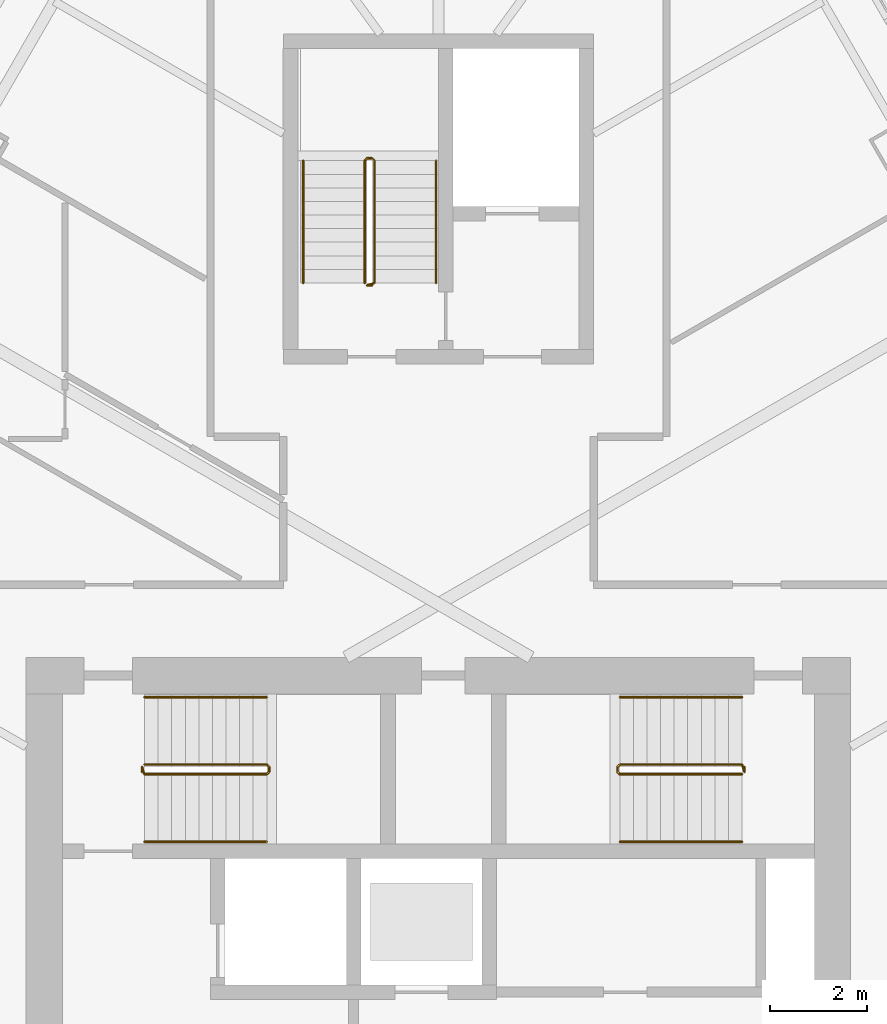
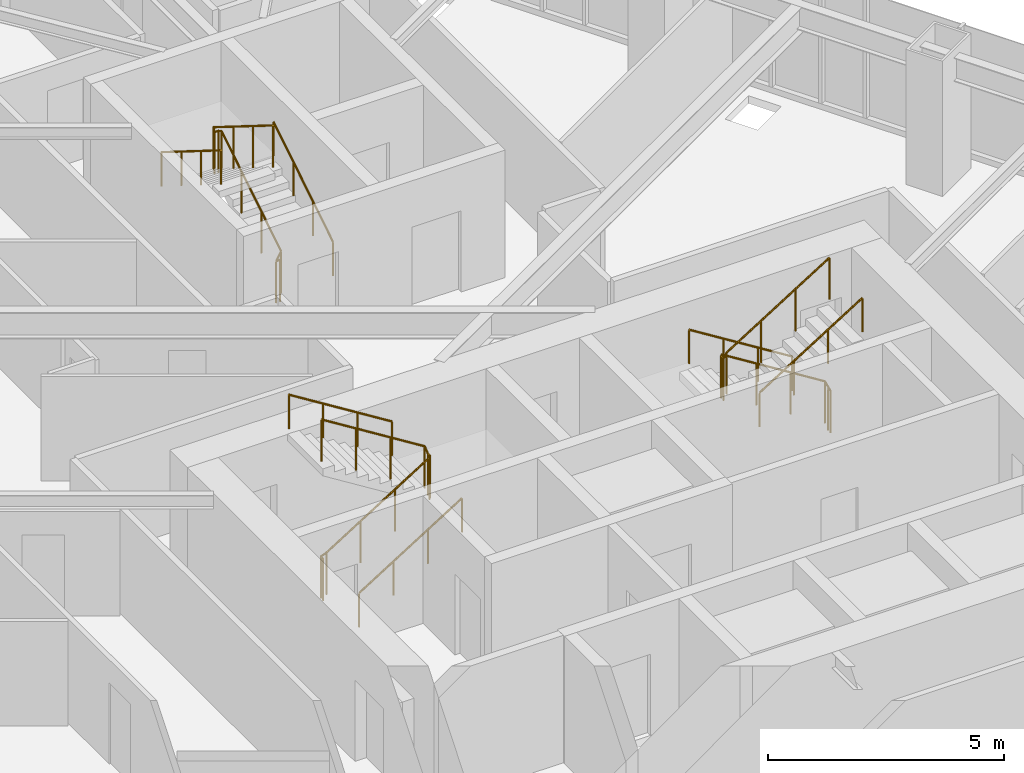
# One storey, part 18 of 19: 9 railings.
"""IFC4 building model written with IfcOpenShell, lengths in metres."""

from ifc_helpers import new_model, si_unit, direction, frame, origin, origin_2d, place, context, subcontext, project, spatial, circle, extrude, material, type_object, element, save


model = new_model("IFC4")

# Units and contexts
model_context = context("Model", 3, precision=1e-05, world=origin(), true_north=direction((0.0, 1.0)))
body_context = subcontext(model_context, "Body", "Model", "MODEL_VIEW")
ifc_project = project(units=[si_unit("LENGTHUNIT", "METRE"), si_unit("AREAUNIT", "SQUARE_METRE"), si_unit("VOLUMEUNIT", "CUBIC_METRE"), si_unit("PLANEANGLEUNIT", "RADIAN"), si_unit("MASSUNIT", "GRAM", prefix="KILO")], contexts=[model_context])

# Site, building, storey
site_placement = place(None, origin())
site = spatial("IfcSite", under=ifc_project, at=site_placement, CompositionType="ELEMENT")
building_placement = place(site_placement, origin())
building = spatial("IfcBuilding", under=site, at=building_placement, Name="Firuza Gate Tower and Library", CompositionType="ELEMENT")
storey_placement = place(building_placement, frame((0.0, 0.0, 256.60009765625)))
storey = spatial("IfcBuildingStorey", under=building, at=storey_placement, Name="L60", CompositionType="ELEMENT", Elevation=256.60009765625)

# Railings
ifc_material_1 = material(Name="Steel S355", Category="steel")
railing_type_1 = type_object("IfcRailingType", Name="Stair guard 1100", PredefinedType="GUARDRAIL", material=ifc_material_1)
railing_1_placement = place(storey_placement, frame((68.889892578125, 79.389892578125, 0.0)))
element("IfcRailing", 1, at=railing_1_placement, inside=storey, type_object=railing_type_1, Name="L60 ST1 stair guard 1", PredefinedType="GUARDRAIL", context=body_context, shape_type="SweptSolid", body=[
    extrude(circle(Radius=0.02392578125, at=origin_2d()), frame((0.0, 0.0, 1.076171875), z_axis=(0.0, 1.0, 0.0), x_axis=(-1.0, 0.0, 0.0)), (0.0, 0.0, 1.0), 0.10009765625),
    extrude(circle(Radius=0.02392578125, at=origin_2d()), frame((0.0, 0.10009765625, 1.076171875), z_axis=(0.212383695785, -0.636115069328, 0.741788908207), x_axis=(0.948528701346, 0.316691178788, 0.0)), (0.0, 0.0, 1.0), 0.235595703125),
    extrude(circle(Radius=0.02392578125, at=origin_2d()), frame((0.050048828125, -0.0498046875, 1.2509765625), z_axis=(0.847970611238, 0.0, 0.530043245855), x_axis=(0.0, 1.0, 0.0)), (0.0, 0.0, 1.0), 2.971923828125),
    extrude(circle(Radius=0.02392578125, at=origin_2d()), frame((2.570068359375, -0.0498046875, 2.826171875), z_axis=(0.708833529934, 0.705375805398, 0.0), x_axis=(-0.705375805398, 0.708833529934, 0.0)), (0.0, 0.0, 1.0), 0.070556640625),
    extrude(circle(Radius=0.02392578125, at=origin_2d()), frame((2.6201171875, 0.0, 2.826171875), z_axis=(0.0, 1.0, 0.0), x_axis=(-1.0, 0.0, 0.0)), (0.0, 0.0, 1.0), 0.10009765625),
    extrude(circle(Radius=0.02392578125, at=origin_2d()), frame((2.6201171875, 0.10009765625, 2.826171875), z_axis=(-0.265383341853, 0.265383341853, 0.926899867156), x_axis=(-0.707106781187, -0.707106781187, 0.0)), (0.0, 0.0, 1.0), 0.1884765625),
    extrude(circle(Radius=0.02392578125, at=origin_2d()), frame((2.570068359375, 0.150146484375, 3.0009765625), z_axis=(-0.847970611238, 0.0, 0.530043245855), x_axis=(0.0, -1.0, 0.0)), (0.0, 0.0, 1.0), 2.971923828125),
    extrude(circle(Radius=0.02099609375, at=origin_2d()), origin(), (0.0, 0.0, 1.0), 1.052001953125),
    extrude(circle(Radius=0.02099609375, at=origin_2d()), frame((0.0, 0.10009765625, 0.0)), (0.0, 0.0, 1.0), 1.052001953125),
    extrude(circle(Radius=0.02099609375, at=origin_2d()), frame((0.050048828125, -0.0498046875, 0.1748046875)), (0.0, 0.0, 1.0), 1.052001953125),
    extrude(circle(Radius=0.02099609375, at=origin_2d()), frame((0.89013671875, -0.0498046875, 0.699951171875)), (0.0, 0.0, 1.0), 1.052001953125),
    extrude(circle(Radius=0.02099609375, at=origin_2d()), frame((1.72998046875, -0.0498046875, 1.224853515625)), (0.0, 0.0, 1.0), 1.052001953125),
    extrude(circle(Radius=0.02099609375, at=origin_2d()), frame((2.570068359375, -0.0498046875, 1.75)), (0.0, 0.0, 1.0), 1.052001953125),
    extrude(circle(Radius=0.02099609375, at=origin_2d()), frame((2.6201171875, 0.0, 1.75)), (0.0, 0.0, 1.0), 1.052001953125),
    extrude(circle(Radius=0.02099609375, at=origin_2d()), frame((2.6201171875, 0.10009765625, 1.75)), (0.0, 0.0, 1.0), 1.052001953125),
    extrude(circle(Radius=0.02099609375, at=origin_2d()), frame((2.570068359375, 0.150146484375, 1.9248046875)), (0.0, 0.0, 1.0), 1.052001953125),
    extrude(circle(Radius=0.02099609375, at=origin_2d()), frame((1.72998046875, 0.150146484375, 2.449951171875)), (0.0, 0.0, 1.0), 1.052001953125),
    extrude(circle(Radius=0.02099609375, at=origin_2d()), frame((0.89013671875, 0.150146484375, 2.974853515625)), (0.0, 0.0, 1.0), 1.052001953125),
    extrude(circle(Radius=0.02099609375, at=origin_2d()), frame((0.050048828125, 0.150146484375, 3.5)), (0.0, 0.0, 1.0), 1.052001953125),
])
railing_2_placement = place(storey_placement, frame((81.31005859375, 79.489990234375, 0.0)))
element("IfcRailing", 2, at=railing_2_placement, inside=storey, type_object=railing_type_1, Name="L60 ST2 stair guard 1", PredefinedType="GUARDRAIL", context=body_context, shape_type="SweptSolid", body=[
    extrude(circle(Radius=0.02392578125, at=origin_2d()), frame((0.0, 0.0, 1.076171875), z_axis=(0.0, -1.0, 0.0), x_axis=(1.0, 0.0, 0.0)), (0.0, 0.0, 1.0), 0.10009765625),
    extrude(circle(Radius=0.02392578125, at=origin_2d()), frame((0.0, -0.10009765625, 1.076171875), z_axis=(-0.21224375372, 0.63673126116, 0.741300134944), x_axis=(-0.948683298051, -0.316227766017, 0.0)), (0.0, 0.0, 1.0), 0.23583984375),
    extrude(circle(Radius=0.02392578125, at=origin_2d()), frame((-0.050048828125, 0.050048828125, 1.2509765625), z_axis=(-0.847970611238, 0.0, 0.530043245855), x_axis=(0.0, -1.0, 0.0)), (0.0, 0.0, 1.0), 2.971923828125),
    extrude(circle(Radius=0.02392578125, at=origin_2d()), frame((-2.570068359375, 0.050048828125, 2.826171875), z_axis=(-0.707106781187, -0.707106781187, 0.0), x_axis=(0.707106781187, -0.707106781187, 0.0)), (0.0, 0.0, 1.0), 0.07080078125),
    extrude(circle(Radius=0.02392578125, at=origin_2d()), frame((-2.6201171875, 0.0, 2.826171875), z_axis=(0.0, -1.0, 0.0), x_axis=(1.0, 0.0, 0.0)), (0.0, 0.0, 1.0), 0.10009765625),
    extrude(circle(Radius=0.02392578125, at=origin_2d()), frame((-2.6201171875, -0.10009765625, 2.826171875), z_axis=(0.265474339444, -0.264179342666, 0.927217692888), x_axis=(0.705375805398, 0.708833529934, 0.0)), (0.0, 0.0, 1.0), 0.1884765625),
    extrude(circle(Radius=0.02392578125, at=origin_2d()), frame((-2.570068359375, -0.14990234375, 3.0009765625), z_axis=(0.847970611238, 0.0, 0.530043245855), x_axis=(0.0, 1.0, 0.0)), (0.0, 0.0, 1.0), 2.971923828125),
    extrude(circle(Radius=0.02099609375, at=origin_2d()), origin(), (0.0, 0.0, 1.0), 1.052001953125),
    extrude(circle(Radius=0.02099609375, at=origin_2d()), frame((0.0, -0.10009765625, 0.0)), (0.0, 0.0, 1.0), 1.052001953125),
    extrude(circle(Radius=0.02099609375, at=origin_2d()), frame((-0.050048828125, 0.050048828125, 0.1748046875)), (0.0, 0.0, 1.0), 1.052001953125),
    extrude(circle(Radius=0.02099609375, at=origin_2d()), frame((-0.89013671875, 0.050048828125, 0.699951171875)), (0.0, 0.0, 1.0), 1.052001953125),
    extrude(circle(Radius=0.02099609375, at=origin_2d()), frame((-1.72998046875, 0.050048828125, 1.224853515625)), (0.0, 0.0, 1.0), 1.052001953125),
    extrude(circle(Radius=0.02099609375, at=origin_2d()), frame((-2.570068359375, 0.050048828125, 1.75)), (0.0, 0.0, 1.0), 1.052001953125),
    extrude(circle(Radius=0.02099609375, at=origin_2d()), frame((-2.6201171875, 0.0, 1.75)), (0.0, 0.0, 1.0), 1.052001953125),
    extrude(circle(Radius=0.02099609375, at=origin_2d()), frame((-2.6201171875, -0.10009765625, 1.75)), (0.0, 0.0, 1.0), 1.052001953125),
    extrude(circle(Radius=0.02099609375, at=origin_2d()), frame((-2.570068359375, -0.14990234375, 1.9248046875)), (0.0, 0.0, 1.0), 1.052001953125),
    extrude(circle(Radius=0.02099609375, at=origin_2d()), frame((-1.72998046875, -0.14990234375, 2.449951171875)), (0.0, 0.0, 1.0), 1.052001953125),
    extrude(circle(Radius=0.02099609375, at=origin_2d()), frame((-0.89013671875, -0.14990234375, 2.974853515625)), (0.0, 0.0, 1.0), 1.052001953125),
    extrude(circle(Radius=0.02099609375, at=origin_2d()), frame((-0.050048828125, -0.14990234375, 3.5)), (0.0, 0.0, 1.0), 1.052001953125),
])
railing_3_placement = place(storey_placement, frame((73.6298828125, 89.419921875, 0.0)))
element("IfcRailing", 3, at=railing_3_placement, inside=storey, type_object=railing_type_1, Name="L60 ST3 stair guard 1", PredefinedType="GUARDRAIL", context=body_context, shape_type="SweptSolid", body=[
    extrude(circle(Radius=0.02392578125, at=origin_2d()), frame((0.0, 0.0, 1.076171875), z_axis=(-1.0, 0.0, 0.0), x_axis=(0.0, -1.0, 0.0)), (0.0, 0.0, 1.0), 0.099853515625),
    extrude(circle(Radius=0.02392578125, at=origin_2d()), frame((-0.099853515625, 0.0, 1.076171875), z_axis=(0.636115069328, 0.212383695785, 0.741788908207), x_axis=(-0.316691178788, 0.948528701346, 0.0)), (0.0, 0.0, 1.0), 0.235595703125),
    extrude(circle(Radius=0.02392578125, at=origin_2d()), frame((0.050048828125, 0.050048828125, 1.2509765625), z_axis=(0.0, 0.847970611238, 0.530043245855), x_axis=(-1.0, 0.0, 0.0)), (0.0, 0.0, 1.0), 2.971923828125),
    extrude(circle(Radius=0.02392578125, at=origin_2d()), frame((0.050048828125, 2.570068359375, 2.826171875), z_axis=(-0.707106781187, 0.707106781187, 0.0), x_axis=(-0.707106781187, -0.707106781187, 0.0)), (0.0, 0.0, 1.0), 0.07080078125),
    extrude(circle(Radius=0.02392578125, at=origin_2d()), frame((0.0, 2.6201171875, 2.826171875), z_axis=(-1.0, 0.0, 0.0), x_axis=(0.0, -1.0, 0.0)), (0.0, 0.0, 1.0), 0.099853515625),
    extrude(circle(Radius=0.02392578125, at=origin_2d()), frame((-0.099853515625, 2.6201171875, 2.826171875), z_axis=(-0.265383341853, -0.265383341853, 0.926899867156), x_axis=(0.707106781187, -0.707106781187, 0.0)), (0.0, 0.0, 1.0), 0.1884765625),
    extrude(circle(Radius=0.02392578125, at=origin_2d()), frame((-0.14990234375, 2.570068359375, 3.0009765625), z_axis=(0.0, -0.847970611238, 0.530043245855), x_axis=(1.0, 0.0, 0.0)), (0.0, 0.0, 1.0), 2.971923828125),
    extrude(circle(Radius=0.02099609375, at=origin_2d()), origin(), (0.0, 0.0, 1.0), 1.052001953125),
    extrude(circle(Radius=0.02099609375, at=origin_2d()), frame((-0.099853515625, 0.0, 0.0)), (0.0, 0.0, 1.0), 1.052001953125),
    extrude(circle(Radius=0.02099609375, at=origin_2d()), frame((0.050048828125, 0.050048828125, 0.1748046875)), (0.0, 0.0, 1.0), 1.052001953125),
    extrude(circle(Radius=0.02099609375, at=origin_2d()), frame((0.050048828125, 0.89013671875, 0.699951171875)), (0.0, 0.0, 1.0), 1.052001953125),
    extrude(circle(Radius=0.02099609375, at=origin_2d()), frame((0.050048828125, 1.72998046875, 1.224853515625)), (0.0, 0.0, 1.0), 1.052001953125),
    extrude(circle(Radius=0.02099609375, at=origin_2d()), frame((0.050048828125, 2.570068359375, 1.75)), (0.0, 0.0, 1.0), 1.052001953125),
    extrude(circle(Radius=0.02099609375, at=origin_2d()), frame((0.0, 2.6201171875, 1.75)), (0.0, 0.0, 1.0), 1.052001953125),
    extrude(circle(Radius=0.02099609375, at=origin_2d()), frame((-0.099853515625, 2.6201171875, 1.75)), (0.0, 0.0, 1.0), 1.052001953125),
    extrude(circle(Radius=0.02099609375, at=origin_2d()), frame((-0.14990234375, 2.570068359375, 1.9248046875)), (0.0, 0.0, 1.0), 1.052001953125),
    extrude(circle(Radius=0.02099609375, at=origin_2d()), frame((-0.14990234375, 1.72998046875, 2.449951171875)), (0.0, 0.0, 1.0), 1.052001953125),
    extrude(circle(Radius=0.02099609375, at=origin_2d()), frame((-0.14990234375, 0.89013671875, 2.974853515625)), (0.0, 0.0, 1.0), 1.052001953125),
    extrude(circle(Radius=0.02099609375, at=origin_2d()), frame((-0.14990234375, 0.050048828125, 3.5)), (0.0, 0.0, 1.0), 1.052001953125),
])
ifc_material_2 = material(Name="Steel S355", Category="steel")
railing_type_2 = type_object("IfcRailingType", Name="Stair handrail 900", PredefinedType="HANDRAIL", material=ifc_material_2)
railing_4_placement = place(storey_placement, frame((68.93994140625, 77.949951171875, 0.1748046875)))
element("IfcRailing", 4, at=railing_4_placement, inside=storey, type_object=railing_type_2, Name="L60 ST1 stair handrail 1", PredefinedType="HANDRAIL", context=body_context, shape_type="SweptSolid", body=[
    extrude(circle(Radius=0.02392578125, at=origin_2d()), frame((0.0, 0.0, 0.8759765625), z_axis=(0.847970611238, 0.0, 0.530043245855), x_axis=(0.0, 1.0, 0.0)), (0.0, 0.0, 1.0), 2.971923828125),
    extrude(circle(Radius=0.02099609375, at=origin_2d()), origin(), (0.0, 0.0, 1.0), 0.851806640625),
    extrude(circle(Radius=0.02099609375, at=origin_2d()), frame((0.840087890625, 0.0, 0.525146484375)), (0.0, 0.0, 1.0), 0.851806640625),
    extrude(circle(Radius=0.02099609375, at=origin_2d()), frame((1.679931640625, 0.0, 1.050048828125)), (0.0, 0.0, 1.0), 0.851806640625),
    extrude(circle(Radius=0.02099609375, at=origin_2d()), frame((2.52001953125, 0.0, 1.5751953125)), (0.0, 0.0, 1.0), 0.851806640625),
])
for number, where, name in (
    (5, (71.4599609375, 80.929931640625, 1.9248046875), "L60 ST1 stair handrail 2"),
    (6, (81.260009765625, 80.929931640625, 0.1748046875), "L60 ST2 stair handrail 1"),
):
    element("IfcRailing", number, at=place(storey_placement, frame(where)), inside=storey, type_object=railing_type_2, Name=name, PredefinedType="HANDRAIL", context=body_context, shape_type="SweptSolid", body=[
        extrude(circle(Radius=0.02392578125, at=origin_2d()), frame((0.0, 0.0, 0.8759765625), z_axis=(-0.847970611238, 0.0, 0.530043245855), x_axis=(0.0, -1.0, 0.0)), (0.0, 0.0, 1.0), 2.971923828125),
        extrude(circle(Radius=0.02099609375, at=origin_2d()), origin(), (0.0, 0.0, 1.0), 0.851806640625),
        extrude(circle(Radius=0.02099609375, at=origin_2d()), frame((-0.840087890625, 0.0, 0.525146484375)), (0.0, 0.0, 1.0), 0.851806640625),
        extrude(circle(Radius=0.02099609375, at=origin_2d()), frame((-1.679931640625, 0.0, 1.050048828125)), (0.0, 0.0, 1.0), 0.851806640625),
        extrude(circle(Radius=0.02099609375, at=origin_2d()), frame((-2.52001953125, 0.0, 1.5751953125)), (0.0, 0.0, 1.0), 0.851806640625),
    ])
railing_5_placement = place(storey_placement, frame((78.739990234375, 77.949951171875, 1.9248046875)))
element("IfcRailing", 7, at=railing_5_placement, inside=storey, type_object=railing_type_2, Name="L60 ST2 stair handrail 2", PredefinedType="HANDRAIL", context=body_context, shape_type="SweptSolid", body=[
    extrude(circle(Radius=0.02392578125, at=origin_2d()), frame((0.0, 0.0, 0.8759765625), z_axis=(0.847970611238, 0.0, 0.530043245855), x_axis=(0.0, 1.0, 0.0)), (0.0, 0.0, 1.0), 2.971923828125),
    extrude(circle(Radius=0.02099609375, at=origin_2d()), origin(), (0.0, 0.0, 1.0), 0.851806640625),
    extrude(circle(Radius=0.02099609375, at=origin_2d()), frame((0.840087890625, 0.0, 0.525146484375)), (0.0, 0.0, 1.0), 0.851806640625),
    extrude(circle(Radius=0.02099609375, at=origin_2d()), frame((1.679931640625, 0.0, 1.050048828125)), (0.0, 0.0, 1.0), 0.851806640625),
    extrude(circle(Radius=0.02099609375, at=origin_2d()), frame((2.52001953125, 0.0, 1.5751953125)), (0.0, 0.0, 1.0), 0.851806640625),
])
railing_6_placement = place(storey_placement, frame((74.949951171875, 89.469970703125, 0.1748046875)))
element("IfcRailing", 8, at=railing_6_placement, inside=storey, type_object=railing_type_2, Name="L60 ST3 stair handrail 1", PredefinedType="HANDRAIL", context=body_context, shape_type="SweptSolid", body=[
    extrude(circle(Radius=0.02392578125, at=origin_2d()), frame((0.0, 0.0, 0.8759765625), z_axis=(0.0, 0.847970611238, 0.530043245855), x_axis=(-1.0, 0.0, 0.0)), (0.0, 0.0, 1.0), 2.971923828125),
    extrude(circle(Radius=0.02099609375, at=origin_2d()), origin(), (0.0, 0.0, 1.0), 0.851806640625),
    extrude(circle(Radius=0.02099609375, at=origin_2d()), frame((0.0, 0.840087890625, 0.525146484375)), (0.0, 0.0, 1.0), 0.851806640625),
    extrude(circle(Radius=0.02099609375, at=origin_2d()), frame((0.0, 1.679931640625, 1.050048828125)), (0.0, 0.0, 1.0), 0.851806640625),
    extrude(circle(Radius=0.02099609375, at=origin_2d()), frame((0.0, 2.52001953125, 1.5751953125)), (0.0, 0.0, 1.0), 0.851806640625),
])
railing_7_placement = place(storey_placement, frame((72.2099609375, 91.989990234375, 1.9248046875)))
element("IfcRailing", 9, at=railing_7_placement, inside=storey, type_object=railing_type_2, Name="L60 ST3 stair handrail 2", PredefinedType="HANDRAIL", context=body_context, shape_type="SweptSolid", body=[
    extrude(circle(Radius=0.02392578125, at=origin_2d()), frame((0.0, 0.0, 0.8759765625), z_axis=(0.0, -0.847970611238, 0.530043245855), x_axis=(1.0, 0.0, 0.0)), (0.0, 0.0, 1.0), 2.971923828125),
    extrude(circle(Radius=0.02099609375, at=origin_2d()), origin(), (0.0, 0.0, 1.0), 0.851806640625),
    extrude(circle(Radius=0.02099609375, at=origin_2d()), frame((0.0, -0.840087890625, 0.525146484375)), (0.0, 0.0, 1.0), 0.851806640625),
    extrude(circle(Radius=0.02099609375, at=origin_2d()), frame((0.0, -1.679931640625, 1.050048828125)), (0.0, 0.0, 1.0), 0.851806640625),
    extrude(circle(Radius=0.02099609375, at=origin_2d()), frame((0.0, -2.52001953125, 1.5751953125)), (0.0, 0.0, 1.0), 0.851806640625),
])

save(model, "model.ifc")
